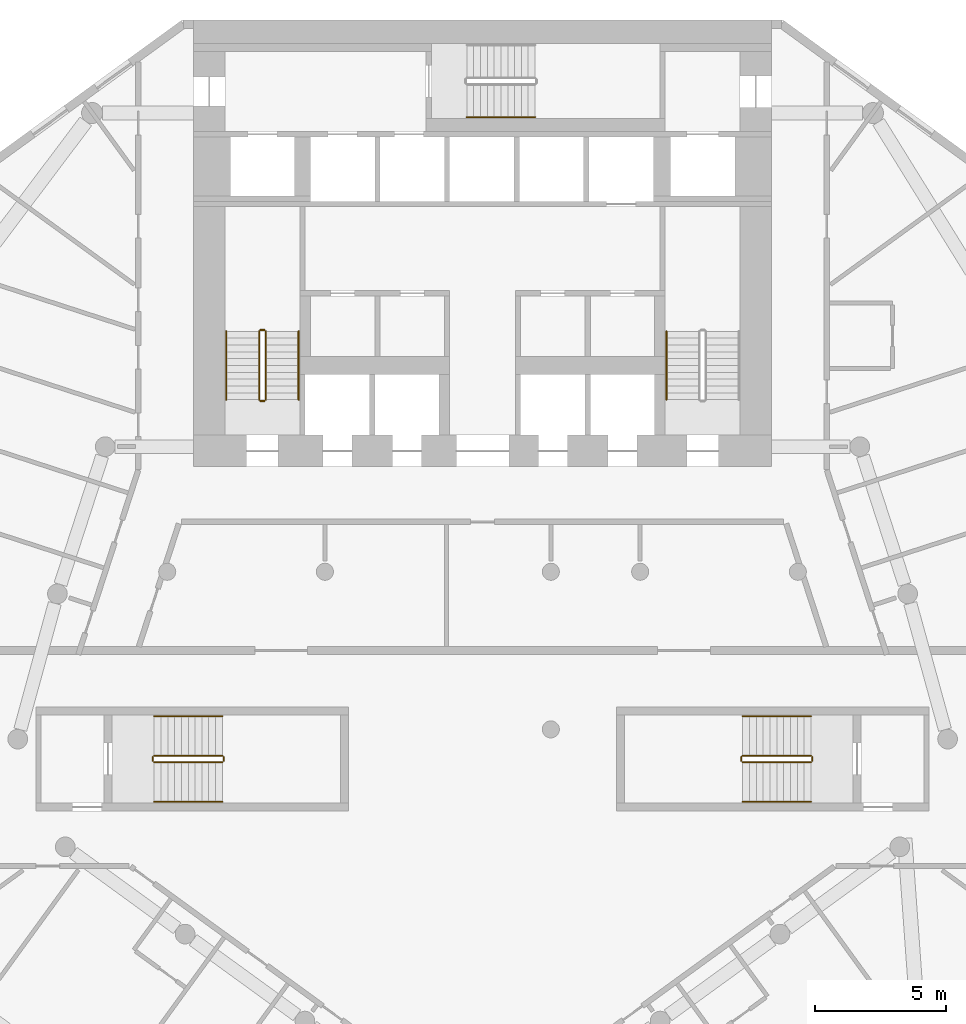
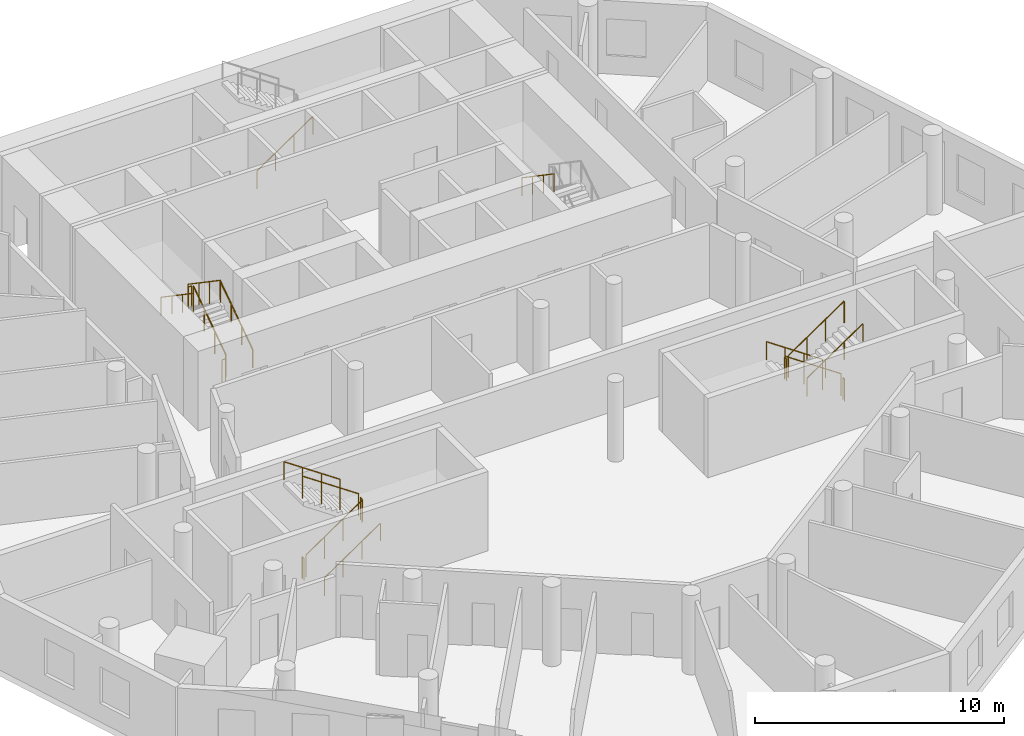
# One storey, part 8 of 9: 20 railings.
"""IFC4 building model written with IfcOpenShell, lengths in metres."""

from ifc_helpers import new_model, si_unit, direction, frame, origin, origin_2d, place, context, subcontext, project, spatial, circle, extrude, material, type_object, element, save


model = new_model("IFC4")

# Units and contexts
model_context = context("Model", 3, precision=1e-05, world=origin(), true_north=direction((0.0, 1.0)))
body_context = subcontext(model_context, "Body", "Model", "MODEL_VIEW")
ifc_project = project(units=[si_unit("LENGTHUNIT", "METRE"), si_unit("AREAUNIT", "SQUARE_METRE"), si_unit("VOLUMEUNIT", "CUBIC_METRE"), si_unit("PLANEANGLEUNIT", "RADIAN"), si_unit("MASSUNIT", "GRAM", prefix="KILO")], contexts=[model_context])

# Site, building, storey
site_placement = place(None, origin())
site = spatial("IfcSite", under=ifc_project, at=site_placement, CompositionType="ELEMENT")
building_placement = place(site_placement, origin())
building = spatial("IfcBuilding", under=site, at=building_placement, Name="White Candle Pilgrim Tower", CompositionType="ELEMENT")
storey_placement = place(building_placement, frame((0.0, 0.0, 50.699951171875)))
storey = spatial("IfcBuildingStorey", under=building, at=storey_placement, Name="L09", CompositionType="ELEMENT", Elevation=50.699951171875)

# Railings
ifc_material = material(Name="Stainless steel", Category="steel")
railing_type_1 = type_object("IfcRailingType", Name="Stair guard stainless steel 1100 mm", PredefinedType="GUARDRAIL", material=ifc_material)
railing_1_placement = place(storey_placement, frame((61.75, 73.550048828125, 0.17724609375)))
element("IfcRailing", 1, at=railing_1_placement, inside=storey, type_object=railing_type_1, Name="L09 ST1 stair guard 1", PredefinedType="GUARDRAIL", context=body_context, shape_type="SweptSolid", body=[
    extrude(circle(Radius=0.02392578125, at=origin_2d()), frame((0.0, 0.0, 1.076171875), z_axis=(0.0, 0.826215852431, 0.563353676824), x_axis=(-1.0, 0.0, 0.0)), (0.0, 0.0, 1.0), 3.146728515625),
    extrude(circle(Radius=0.02099609375, at=origin_2d()), origin(), (0.0, 0.0, 1.0), 1.052001953125),
    extrude(circle(Radius=0.02099609375, at=origin_2d()), frame((0.0, 0.86669921875, 0.5908203125)), (0.0, 0.0, 1.0), 1.052001953125),
    extrude(circle(Radius=0.02099609375, at=origin_2d()), frame((0.0, 1.733154296875, 1.181884765625)), (0.0, 0.0, 1.0), 1.052001953125),
    extrude(circle(Radius=0.02099609375, at=origin_2d()), frame((0.0, 2.599853515625, 1.772705078125)), (0.0, 0.0, 1.0), 1.052001953125),
])
railing_2_placement = place(storey_placement, frame((61.699951171875, 76.199951171875, 1.949951171875)))
element("IfcRailing", 2, at=railing_2_placement, inside=storey, type_object=railing_type_1, Name="L09 ST1 stair guard 2", PredefinedType="GUARDRAIL", context=body_context, shape_type="SweptSolid", body=[
    extrude(circle(Radius=0.02392578125, at=origin_2d()), frame((0.0, 0.0, 1.076171875), z_axis=(-1.0, 0.0, 0.0), x_axis=(0.0, -1.0, 0.0)), (0.0, 0.0, 1.0), 0.14990234375),
    extrude(circle(Radius=0.02099609375, at=origin_2d()), origin(), (0.0, 0.0, 1.0), 1.052001953125),
    extrude(circle(Radius=0.02099609375, at=origin_2d()), frame((-0.14990234375, 0.0, 0.0)), (0.0, 0.0, 1.0), 1.052001953125),
])
railing_3_placement = place(storey_placement, frame((61.5, 76.14990234375, 2.12744140625)))
element("IfcRailing", 3, at=railing_3_placement, inside=storey, type_object=railing_type_1, Name="L09 ST1 stair guard 3", PredefinedType="GUARDRAIL", context=body_context, shape_type="SweptSolid", body=[
    extrude(circle(Radius=0.02392578125, at=origin_2d()), frame((0.0, 0.0, 1.076171875), z_axis=(0.0, -0.826215852431, 0.563353676824), x_axis=(1.0, 0.0, 0.0)), (0.0, 0.0, 1.0), 3.146728515625),
    extrude(circle(Radius=0.02099609375, at=origin_2d()), origin(), (0.0, 0.0, 1.0), 1.052001953125),
    extrude(circle(Radius=0.02099609375, at=origin_2d()), frame((0.0, -0.86669921875, 0.5908203125)), (0.0, 0.0, 1.0), 1.052001953125),
    extrude(circle(Radius=0.02099609375, at=origin_2d()), frame((0.0, -1.733154296875, 1.181884765625)), (0.0, 0.0, 1.0), 1.052001953125),
    extrude(circle(Radius=0.02099609375, at=origin_2d()), frame((0.0, -2.599853515625, 1.772705078125)), (0.0, 0.0, 1.0), 1.052001953125),
])
railing_4_placement = place(storey_placement, frame((61.699951171875, 73.5, 0.0)))
element("IfcRailing", 4, at=railing_4_placement, inside=storey, type_object=railing_type_1, Name="L09 ST1 stair guard 4", PredefinedType="GUARDRAIL", context=body_context, shape_type="SweptSolid", body=[
    extrude(circle(Radius=0.02392578125, at=origin_2d()), frame((0.0, 0.0, 1.076171875), z_axis=(-1.0, 0.0, 0.0), x_axis=(0.0, -1.0, 0.0)), (0.0, 0.0, 1.0), 0.14990234375),
    extrude(circle(Radius=0.02099609375, at=origin_2d()), origin(), (0.0, 0.0, 1.0), 1.052001953125),
    extrude(circle(Radius=0.02099609375, at=origin_2d()), frame((-0.14990234375, 0.0, 0.0)), (0.0, 0.0, 1.0), 1.052001953125),
])
railing_5_placement = place(storey_placement, frame((82.5, 60.0, 0.17724609375)))
element("IfcRailing", 5, at=railing_5_placement, inside=storey, type_object=railing_type_1, Name="L09 ST4 stair guard 1", PredefinedType="GUARDRAIL", context=body_context, shape_type="SweptSolid", body=[
    extrude(circle(Radius=0.02392578125, at=origin_2d()), frame((0.0, 0.0, 1.076171875), z_axis=(-0.826240473404, 0.0, 0.563317565952), x_axis=(0.0, -1.0, 0.0)), (0.0, 0.0, 1.0), 3.14697265625),
    extrude(circle(Radius=0.02099609375, at=origin_2d()), origin(), (0.0, 0.0, 1.0), 1.052001953125),
    extrude(circle(Radius=0.02099609375, at=origin_2d()), frame((-0.86669921875, 0.0, 0.5908203125)), (0.0, 0.0, 1.0), 1.052001953125),
    extrude(circle(Radius=0.02099609375, at=origin_2d()), frame((-1.7333984375, 0.0, 1.181884765625)), (0.0, 0.0, 1.0), 1.052001953125),
    extrude(circle(Radius=0.02099609375, at=origin_2d()), frame((-2.60009765625, 0.0, 1.772705078125)), (0.0, 0.0, 1.0), 1.052001953125),
])
railing_6_placement = place(storey_placement, frame((79.85009765625, 59.949951171875, 1.949951171875)))
element("IfcRailing", 6, at=railing_6_placement, inside=storey, type_object=railing_type_1, Name="L09 ST4 stair guard 2", PredefinedType="GUARDRAIL", context=body_context, shape_type="SweptSolid", body=[
    extrude(circle(Radius=0.02392578125, at=origin_2d()), frame((0.0, 0.0, 1.076171875), z_axis=(0.0, -1.0, 0.0), x_axis=(1.0, 0.0, 0.0)), (0.0, 0.0, 1.0), 0.14990234375),
    extrude(circle(Radius=0.02099609375, at=origin_2d()), origin(), (0.0, 0.0, 1.0), 1.052001953125),
    extrude(circle(Radius=0.02099609375, at=origin_2d()), frame((0.0, -0.14990234375, 0.0)), (0.0, 0.0, 1.0), 1.052001953125),
])
railing_7_placement = place(storey_placement, frame((79.89990234375, 59.75, 2.12744140625)))
element("IfcRailing", 7, at=railing_7_placement, inside=storey, type_object=railing_type_1, Name="L09 ST4 stair guard 3", PredefinedType="GUARDRAIL", context=body_context, shape_type="SweptSolid", body=[
    extrude(circle(Radius=0.02392578125, at=origin_2d()), frame((0.0, 0.0, 1.076171875), z_axis=(0.826240473404, 0.0, 0.563317565952), x_axis=(0.0, 1.0, 0.0)), (0.0, 0.0, 1.0), 3.14697265625),
    extrude(circle(Radius=0.02099609375, at=origin_2d()), origin(), (0.0, 0.0, 1.0), 1.052001953125),
    extrude(circle(Radius=0.02099609375, at=origin_2d()), frame((0.86669921875, 0.0, 0.5908203125)), (0.0, 0.0, 1.0), 1.052001953125),
    extrude(circle(Radius=0.02099609375, at=origin_2d()), frame((1.7333984375, 0.0, 1.181884765625)), (0.0, 0.0, 1.0), 1.052001953125),
    extrude(circle(Radius=0.02099609375, at=origin_2d()), frame((2.60009765625, 0.0, 1.772705078125)), (0.0, 0.0, 1.0), 1.052001953125),
])
railing_8_placement = place(storey_placement, frame((82.550048828125, 59.949951171875, 0.0)))
element("IfcRailing", 8, at=railing_8_placement, inside=storey, type_object=railing_type_1, Name="L09 ST4 stair guard 4", PredefinedType="GUARDRAIL", context=body_context, shape_type="SweptSolid", body=[
    extrude(circle(Radius=0.02392578125, at=origin_2d()), frame((0.0, 0.0, 1.076171875), z_axis=(0.0, -1.0, 0.0), x_axis=(1.0, 0.0, 0.0)), (0.0, 0.0, 1.0), 0.14990234375),
    extrude(circle(Radius=0.02099609375, at=origin_2d()), origin(), (0.0, 0.0, 1.0), 1.052001953125),
    extrude(circle(Radius=0.02099609375, at=origin_2d()), frame((0.0, -0.14990234375, 0.0)), (0.0, 0.0, 1.0), 1.052001953125),
])
railing_9_placement = place(storey_placement, frame((57.5, 59.75, 0.17724609375)))
element("IfcRailing", 9, at=railing_9_placement, inside=storey, type_object=railing_type_1, Name="L09 ST5 stair guard 1", PredefinedType="GUARDRAIL", context=body_context, shape_type="SweptSolid", body=[
    extrude(circle(Radius=0.02392578125, at=origin_2d()), frame((0.0, 0.0, 1.076171875), z_axis=(0.826240473404, 0.0, 0.563317565952), x_axis=(0.0, 1.0, 0.0)), (0.0, 0.0, 1.0), 3.14697265625),
    extrude(circle(Radius=0.02099609375, at=origin_2d()), origin(), (0.0, 0.0, 1.0), 1.052001953125),
    extrude(circle(Radius=0.02099609375, at=origin_2d()), frame((0.86669921875, 0.0, 0.5908203125)), (0.0, 0.0, 1.0), 1.052001953125),
    extrude(circle(Radius=0.02099609375, at=origin_2d()), frame((1.7333984375, 0.0, 1.181884765625)), (0.0, 0.0, 1.0), 1.052001953125),
    extrude(circle(Radius=0.02099609375, at=origin_2d()), frame((2.60009765625, 0.0, 1.772705078125)), (0.0, 0.0, 1.0), 1.052001953125),
])
railing_10_placement = place(storey_placement, frame((60.14990234375, 59.800048828125, 1.949951171875)))
element("IfcRailing", 10, at=railing_10_placement, inside=storey, type_object=railing_type_1, Name="L09 ST5 stair guard 2", PredefinedType="GUARDRAIL", context=body_context, shape_type="SweptSolid", body=[
    extrude(circle(Radius=0.02392578125, at=origin_2d()), frame((0.0, 0.0, 1.076171875), z_axis=(0.0, 1.0, 0.0), x_axis=(-1.0, 0.0, 0.0)), (0.0, 0.0, 1.0), 0.14990234375),
    extrude(circle(Radius=0.02099609375, at=origin_2d()), origin(), (0.0, 0.0, 1.0), 1.052001953125),
    extrude(circle(Radius=0.02099609375, at=origin_2d()), frame((0.0, 0.14990234375, 0.0)), (0.0, 0.0, 1.0), 1.052001953125),
])
railing_11_placement = place(storey_placement, frame((60.10009765625, 60.0, 2.12744140625)))
element("IfcRailing", 11, at=railing_11_placement, inside=storey, type_object=railing_type_1, Name="L09 ST5 stair guard 3", PredefinedType="GUARDRAIL", context=body_context, shape_type="SweptSolid", body=[
    extrude(circle(Radius=0.02392578125, at=origin_2d()), frame((0.0, 0.0, 1.076171875), z_axis=(-0.826240473404, 0.0, 0.563317565952), x_axis=(0.0, -1.0, 0.0)), (0.0, 0.0, 1.0), 3.14697265625),
    extrude(circle(Radius=0.02099609375, at=origin_2d()), origin(), (0.0, 0.0, 1.0), 1.052001953125),
    extrude(circle(Radius=0.02099609375, at=origin_2d()), frame((-0.86669921875, 0.0, 0.5908203125)), (0.0, 0.0, 1.0), 1.052001953125),
    extrude(circle(Radius=0.02099609375, at=origin_2d()), frame((-1.7333984375, 0.0, 1.181884765625)), (0.0, 0.0, 1.0), 1.052001953125),
    extrude(circle(Radius=0.02099609375, at=origin_2d()), frame((-2.60009765625, 0.0, 1.772705078125)), (0.0, 0.0, 1.0), 1.052001953125),
])
railing_12_placement = place(storey_placement, frame((57.449951171875, 59.800048828125, 0.0)))
element("IfcRailing", 12, at=railing_12_placement, inside=storey, type_object=railing_type_1, Name="L09 ST5 stair guard 4", PredefinedType="GUARDRAIL", context=body_context, shape_type="SweptSolid", body=[
    extrude(circle(Radius=0.02392578125, at=origin_2d()), frame((0.0, 0.0, 1.076171875), z_axis=(0.0, 1.0, 0.0), x_axis=(-1.0, 0.0, 0.0)), (0.0, 0.0, 1.0), 0.14990234375),
    extrude(circle(Radius=0.02099609375, at=origin_2d()), origin(), (0.0, 0.0, 1.0), 1.052001953125),
    extrude(circle(Radius=0.02099609375, at=origin_2d()), frame((0.0, 0.14990234375, 0.0)), (0.0, 0.0, 1.0), 1.052001953125),
])
railing_type_2 = type_object("IfcRailingType", Name="Stair handrail stainless steel", PredefinedType="HANDRAIL", material=ifc_material)
railing_13_placement = place(storey_placement, frame((63.0, 73.550048828125, 0.17724609375)))
element("IfcRailing", 13, at=railing_13_placement, inside=storey, type_object=railing_type_2, Name="L09 ST1 stair handrail 1", PredefinedType="HANDRAIL", context=body_context, shape_type="SweptSolid", body=[
    extrude(circle(Radius=0.02392578125, at=origin_2d()), frame((0.0, 0.0, 0.8759765625), z_axis=(0.0, 0.826215852431, 0.563353676824), x_axis=(-1.0, 0.0, 0.0)), (0.0, 0.0, 1.0), 3.146728515625),
    extrude(circle(Radius=0.02099609375, at=origin_2d()), origin(), (0.0, 0.0, 1.0), 0.851806640625),
    extrude(circle(Radius=0.02099609375, at=origin_2d()), frame((0.0, 0.86669921875, 0.5908203125)), (0.0, 0.0, 1.0), 0.851806640625),
    extrude(circle(Radius=0.02099609375, at=origin_2d()), frame((0.0, 1.733154296875, 1.181884765625)), (0.0, 0.0, 1.0), 0.851806640625),
    extrude(circle(Radius=0.02099609375, at=origin_2d()), frame((0.0, 2.599853515625, 1.772705078125)), (0.0, 0.0, 1.0), 0.851806640625),
])
for number, where, name in (
    (14, (60.25, 76.14990234375, 2.12744140625), "L09 ST1 stair handrail 2"),
    (15, (77.0, 76.14990234375, 2.12744140625), "L09 ST2 stair handrail 2"),
):
    element("IfcRailing", number, at=place(storey_placement, frame(where)), inside=storey, type_object=railing_type_2, Name=name, PredefinedType="HANDRAIL", context=body_context, shape_type="SweptSolid", body=[
        extrude(circle(Radius=0.02392578125, at=origin_2d()), frame((0.0, 0.0, 0.8759765625), z_axis=(0.0, -0.826215852431, 0.563353676824), x_axis=(1.0, 0.0, 0.0)), (0.0, 0.0, 1.0), 3.146728515625),
        extrude(circle(Radius=0.02099609375, at=origin_2d()), origin(), (0.0, 0.0, 1.0), 0.851806640625),
        extrude(circle(Radius=0.02099609375, at=origin_2d()), frame((0.0, -0.86669921875, 0.5908203125)), (0.0, 0.0, 1.0), 0.851806640625),
        extrude(circle(Radius=0.02099609375, at=origin_2d()), frame((0.0, -1.733154296875, 1.181884765625)), (0.0, 0.0, 1.0), 0.851806640625),
        extrude(circle(Radius=0.02099609375, at=origin_2d()), frame((0.0, -2.599853515625, 1.772705078125)), (0.0, 0.0, 1.0), 0.851806640625),
    ])
railing_14_placement = place(storey_placement, frame((69.39990234375, 84.300048828125, 0.17724609375)))
element("IfcRailing", 16, at=railing_14_placement, inside=storey, type_object=railing_type_2, Name="L09 ST3 stair handrail 1", PredefinedType="HANDRAIL", context=body_context, shape_type="SweptSolid", body=[
    extrude(circle(Radius=0.02392578125, at=origin_2d()), frame((0.0, 0.0, 0.8759765625), z_axis=(0.826240473404, 0.0, 0.563317565952), x_axis=(0.0, 1.0, 0.0)), (0.0, 0.0, 1.0), 3.14697265625),
    extrude(circle(Radius=0.02099609375, at=origin_2d()), origin(), (0.0, 0.0, 1.0), 0.851806640625),
    extrude(circle(Radius=0.02099609375, at=origin_2d()), frame((0.86669921875, 0.0, 0.5908203125)), (0.0, 0.0, 1.0), 0.851806640625),
    extrude(circle(Radius=0.02099609375, at=origin_2d()), frame((1.7333984375, 0.0, 1.181884765625)), (0.0, 0.0, 1.0), 0.851806640625),
    extrude(circle(Radius=0.02099609375, at=origin_2d()), frame((2.60009765625, 0.0, 1.772705078125)), (0.0, 0.0, 1.0), 0.851806640625),
])
railing_15_placement = place(storey_placement, frame((82.5, 61.5, 0.17724609375)))
element("IfcRailing", 17, at=railing_15_placement, inside=storey, type_object=railing_type_2, Name="L09 ST4 stair handrail 1", PredefinedType="HANDRAIL", context=body_context, shape_type="SweptSolid", body=[
    extrude(circle(Radius=0.02392578125, at=origin_2d()), frame((0.0, 0.0, 0.8759765625), z_axis=(-0.826240473404, 0.0, 0.563317565952), x_axis=(0.0, -1.0, 0.0)), (0.0, 0.0, 1.0), 3.14697265625),
    extrude(circle(Radius=0.02099609375, at=origin_2d()), origin(), (0.0, 0.0, 1.0), 0.851806640625),
    extrude(circle(Radius=0.02099609375, at=origin_2d()), frame((-0.86669921875, 0.0, 0.5908203125)), (0.0, 0.0, 1.0), 0.851806640625),
    extrude(circle(Radius=0.02099609375, at=origin_2d()), frame((-1.7333984375, 0.0, 1.181884765625)), (0.0, 0.0, 1.0), 0.851806640625),
    extrude(circle(Radius=0.02099609375, at=origin_2d()), frame((-2.60009765625, 0.0, 1.772705078125)), (0.0, 0.0, 1.0), 0.851806640625),
])
for number, where, name in (
    (18, (79.89990234375, 58.25, 2.12744140625), "L09 ST4 stair handrail 2"),
    (19, (57.5, 58.25, 0.17724609375), "L09 ST5 stair handrail 1"),
):
    element("IfcRailing", number, at=place(storey_placement, frame(where)), inside=storey, type_object=railing_type_2, Name=name, PredefinedType="HANDRAIL", context=body_context, shape_type="SweptSolid", body=[
        extrude(circle(Radius=0.02392578125, at=origin_2d()), frame((0.0, 0.0, 0.8759765625), z_axis=(0.826240473404, 0.0, 0.563317565952), x_axis=(0.0, 1.0, 0.0)), (0.0, 0.0, 1.0), 3.14697265625),
        extrude(circle(Radius=0.02099609375, at=origin_2d()), origin(), (0.0, 0.0, 1.0), 0.851806640625),
        extrude(circle(Radius=0.02099609375, at=origin_2d()), frame((0.86669921875, 0.0, 0.5908203125)), (0.0, 0.0, 1.0), 0.851806640625),
        extrude(circle(Radius=0.02099609375, at=origin_2d()), frame((1.7333984375, 0.0, 1.181884765625)), (0.0, 0.0, 1.0), 0.851806640625),
        extrude(circle(Radius=0.02099609375, at=origin_2d()), frame((2.60009765625, 0.0, 1.772705078125)), (0.0, 0.0, 1.0), 0.851806640625),
    ])
railing_16_placement = place(storey_placement, frame((60.10009765625, 61.5, 2.12744140625)))
element("IfcRailing", 20, at=railing_16_placement, inside=storey, type_object=railing_type_2, Name="L09 ST5 stair handrail 2", PredefinedType="HANDRAIL", context=body_context, shape_type="SweptSolid", body=[
    extrude(circle(Radius=0.02392578125, at=origin_2d()), frame((0.0, 0.0, 0.8759765625), z_axis=(-0.826240473404, 0.0, 0.563317565952), x_axis=(0.0, -1.0, 0.0)), (0.0, 0.0, 1.0), 3.14697265625),
    extrude(circle(Radius=0.02099609375, at=origin_2d()), origin(), (0.0, 0.0, 1.0), 0.851806640625),
    extrude(circle(Radius=0.02099609375, at=origin_2d()), frame((-0.86669921875, 0.0, 0.5908203125)), (0.0, 0.0, 1.0), 0.851806640625),
    extrude(circle(Radius=0.02099609375, at=origin_2d()), frame((-1.7333984375, 0.0, 1.181884765625)), (0.0, 0.0, 1.0), 0.851806640625),
    extrude(circle(Radius=0.02099609375, at=origin_2d()), frame((-2.60009765625, 0.0, 1.772705078125)), (0.0, 0.0, 1.0), 0.851806640625),
])

save(model, "model.ifc")
